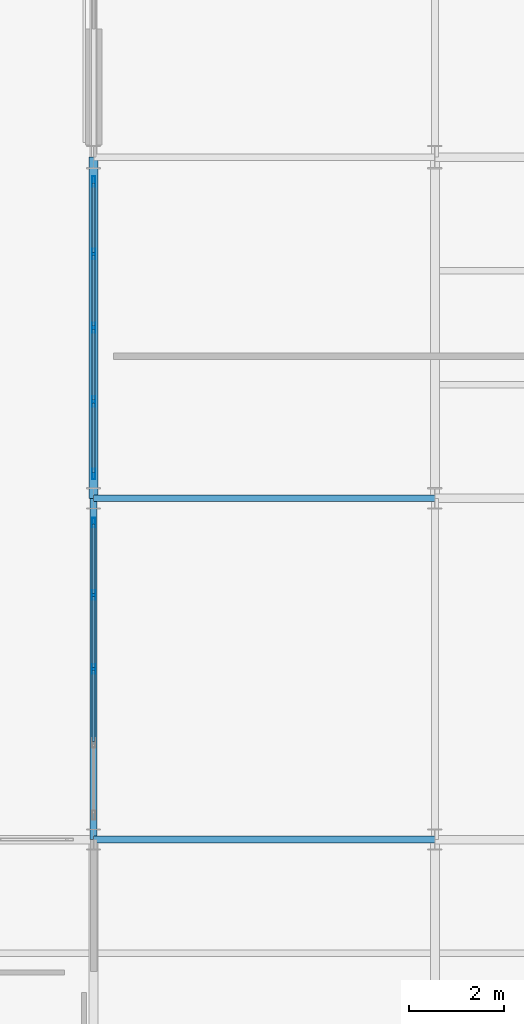
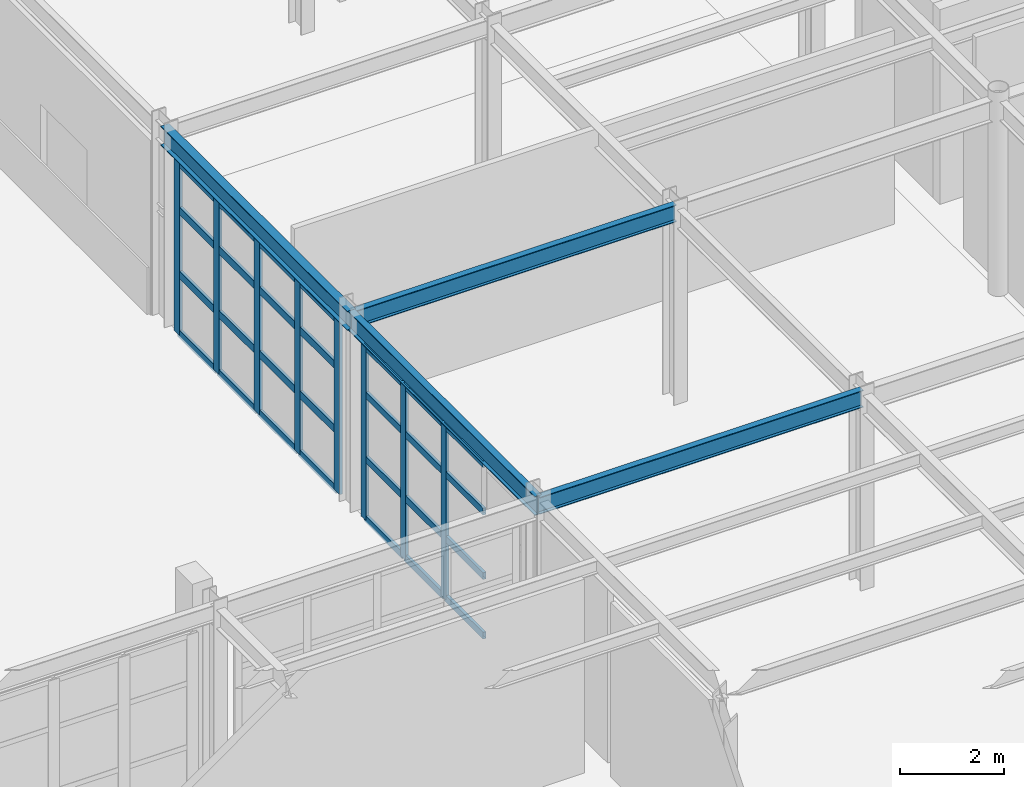
# One storey, part 28 of 83: 36 members, 4 beams, 2 elements without a shape of their own.
"""IFC4 building model written with IfcOpenShell, lengths in metres."""

from ifc_helpers import new_model, si_unit, direction, frame, origin, origin_2d, place, context, subcontext, project, spatial, hollow_rectangle, i_section, extrude, material, layer, layer_set, material_profile, profile_set, type_object, element, aggregate, save


model = new_model("IFC4")

# Units and contexts
model_context = context("Model", 3, precision=1e-05, world=origin(), true_north=direction((0.0, 1.0)))
body_context = subcontext(model_context, "Body", "Model", "MODEL_VIEW")
ifc_project = project(units=[si_unit("LENGTHUNIT", "METRE"), si_unit("AREAUNIT", "SQUARE_METRE"), si_unit("VOLUMEUNIT", "CUBIC_METRE"), si_unit("PLANEANGLEUNIT", "RADIAN"), si_unit("MASSUNIT", "GRAM", prefix="KILO")], contexts=[model_context])

# Site, building, storey
site_placement = place(None, origin())
site = spatial("IfcSite", under=ifc_project, at=site_placement, CompositionType="ELEMENT")
building_placement = place(site_placement, origin())
building = spatial("IfcBuilding", under=site, at=building_placement, Name="Solvadek Multi-Sports Hall", CompositionType="ELEMENT")
storey_placement = place(building_placement, origin())
storey = spatial("IfcBuildingStorey", under=building, at=storey_placement, Name="L00", CompositionType="ELEMENT", Elevation=0.0)

# Curtain wall, members
ifc_material_1 = material(Name="Anodised aluminium", Category="aluminium")
ifc_layer_1 = layer(ifc_material_1, 0.159912109375, Name="Anodised aluminium")
ifc_layer_set_1 = layer_set([ifc_layer_1], Name="Anodised aluminium")
curtain_wall_type_1 = type_object("IfcCurtainWallType", Name="ENV-CW-624X410", PredefinedType="USERDEFINED", material=ifc_layer_set_1)
curtain_wall_1_placement = place(storey_placement, origin())
curtain_wall_1 = element("IfcCurtainWall", 1, at=curtain_wall_1_placement, inside=storey, type_object=curtain_wall_type_1, Name="L00 Perimeter Bay Curtain Wall #183", ObjectType="CURTAIN WALL", PredefinedType="USERDEFINED")
ifc_material_profile_1 = material_profile(ifc_material_1, hollow_rectangle(XDim=0.06494140625, YDim=0.199951171875, WallThickness=0.0048828125, at=origin_2d()), Name="ALU-M 200x65x5")
ifc_profile_set_1 = profile_set([ifc_material_profile_1], Name="Anodised aluminium")
member_type_1 = type_object("IfcMemberType", Name="ENV-CWM-03", PredefinedType="MULLION", material=ifc_profile_set_1)
member_1_placement = place(storey_placement, frame((57.60009765625, 24.0, 0.0), z_axis=(0.0, 0.0, 1.0), x_axis=(-1.0, 0.0, 0.0)))
member_1 = element("IfcMember", 2, at=member_1_placement, type_object=member_type_1, Name="CW-39 mullion 3", PredefinedType="MULLION", context=body_context, shape_type="SweptSolid", body=[
    extrude(hollow_rectangle(XDim=0.06494140625, YDim=0.199951171875, WallThickness=0.0048828125, at=origin_2d()), origin(), (0.0, 0.0, 1.0), 4.10009765625),
])
member_2_placement = place(storey_placement, frame((57.60009765625, 25.56005859375, 0.0), z_axis=(0.0, 0.0, 1.0), x_axis=(-1.0, 0.0, 0.0)))
member_2 = element("IfcMember", 3, at=member_2_placement, type_object=member_type_1, Name="CW-39 mullion 4", PredefinedType="MULLION", context=body_context, shape_type="SweptSolid", body=[
    extrude(hollow_rectangle(XDim=0.06494140625, YDim=0.199951171875, WallThickness=0.0048828125, at=origin_2d()), origin(), (0.0, 0.0, 1.0), 4.10009765625),
])
member_3_placement = place(storey_placement, frame((57.60009765625, 27.08740234375, 0.0), z_axis=(0.0, 0.0, 1.0), x_axis=(-1.0, 0.0, 0.0)))
member_3 = element("IfcMember", 4, at=member_3_placement, type_object=member_type_1, Name="CW-39 mullion 5", PredefinedType="MULLION", context=body_context, shape_type="SweptSolid", body=[
    extrude(hollow_rectangle(XDim=0.06494140625, YDim=0.199951171875, WallThickness=0.0048828125, at=origin_2d()), origin(), (0.0, 0.0, 1.0), 4.10009765625),
])

ifc_layer_2 = layer(ifc_material_1, 0.159912109375, Name="Anodised aluminium")
ifc_layer_set_2 = layer_set([ifc_layer_2], Name="Anodised aluminium")
curtain_wall_type_2 = type_object("IfcCurtainWallType", Name="ENV-CW-624X408", PredefinedType="USERDEFINED", material=ifc_layer_set_2)
curtain_wall_2_placement = place(storey_placement, origin())
curtain_wall_2 = element("IfcCurtainWall", 5, at=curtain_wall_2_placement, inside=storey, type_object=curtain_wall_type_2, Name="L00 Perimeter Bay Curtain Wall #189", ObjectType="CURTAIN WALL", PredefinedType="USERDEFINED")
ifc_material_profile_2 = material_profile(ifc_material_1, hollow_rectangle(XDim=0.06494140625, YDim=0.219970703125, WallThickness=0.0048828125, at=origin_2d()), Name="ALU-M 220x65x5")
ifc_profile_set_2 = profile_set([ifc_material_profile_2], Name="Anodised aluminium")
member_type_2 = type_object("IfcMemberType", Name="ENV-CWM-04", PredefinedType="MULLION", material=ifc_profile_set_2)
member_4_placement = place(storey_placement, frame((57.60009765625, 28.112548828125, 0.0), z_axis=(0.0, 0.0, 1.0), x_axis=(-1.0, 0.0, 0.0)))
member_4 = element("IfcMember", 6, at=member_4_placement, type_object=member_type_2, Name="CW-40 mullion 1", PredefinedType="MULLION", context=body_context, shape_type="SweptSolid", body=[
    extrude(hollow_rectangle(XDim=0.06494140625, YDim=0.219970703125, WallThickness=0.0048828125, at=origin_2d()), origin(), (0.0, 0.0, 1.0), 4.074951171875),
])
member_5_placement = place(storey_placement, frame((57.60009765625, 29.639892578125, 0.0), z_axis=(0.0, 0.0, 1.0), x_axis=(-1.0, 0.0, 0.0)))
member_5 = element("IfcMember", 7, at=member_5_placement, type_object=member_type_2, Name="CW-40 mullion 2", PredefinedType="MULLION", context=body_context, shape_type="SweptSolid", body=[
    extrude(hollow_rectangle(XDim=0.06494140625, YDim=0.219970703125, WallThickness=0.0048828125, at=origin_2d()), origin(), (0.0, 0.0, 1.0), 4.074951171875),
])
member_6_placement = place(storey_placement, frame((57.60009765625, 31.199951171875, 0.0), z_axis=(0.0, 0.0, 1.0), x_axis=(-1.0, 0.0, 0.0)))
member_6 = element("IfcMember", 8, at=member_6_placement, type_object=member_type_2, Name="CW-40 mullion 3", PredefinedType="MULLION", context=body_context, shape_type="SweptSolid", body=[
    extrude(hollow_rectangle(XDim=0.06494140625, YDim=0.219970703125, WallThickness=0.0048828125, at=origin_2d()), origin(), (0.0, 0.0, 1.0), 4.074951171875),
])
member_7_placement = place(storey_placement, frame((57.60009765625, 32.760009765625, 0.0), z_axis=(0.0, 0.0, 1.0), x_axis=(-1.0, 0.0, 0.0)))
member_7 = element("IfcMember", 9, at=member_7_placement, type_object=member_type_2, Name="CW-40 mullion 4", PredefinedType="MULLION", context=body_context, shape_type="SweptSolid", body=[
    extrude(hollow_rectangle(XDim=0.06494140625, YDim=0.219970703125, WallThickness=0.0048828125, at=origin_2d()), origin(), (0.0, 0.0, 1.0), 4.074951171875),
])
member_8_placement = place(storey_placement, frame((57.60009765625, 34.28759765625, 0.0), z_axis=(0.0, 0.0, 1.0), x_axis=(-1.0, 0.0, 0.0)))
member_8 = element("IfcMember", 10, at=member_8_placement, type_object=member_type_2, Name="CW-40 mullion 5", PredefinedType="MULLION", context=body_context, shape_type="SweptSolid", body=[
    extrude(hollow_rectangle(XDim=0.06494140625, YDim=0.219970703125, WallThickness=0.0048828125, at=origin_2d()), origin(), (0.0, 0.0, 1.0), 4.074951171875),
])

# Member
ifc_material_profile_3 = material_profile(ifc_material_1, hollow_rectangle(XDim=0.06494140625, YDim=0.159912109375, WallThickness=0.00390625, at=origin_2d()), Name="ALU-T 160x65x4")
ifc_profile_set_3 = profile_set([ifc_material_profile_3], Name="Anodised aluminium")
member_type_3 = type_object("IfcMemberType", Name="ENV-CWT-03", PredefinedType="USERDEFINED", material=ifc_profile_set_3)
member_9_placement = place(storey_placement, frame((57.60009765625, 22.472412109375, 0.032470703125), z_axis=(0.0, 1.0, 0.0), x_axis=(-1.0, 0.0, 0.0)))
member_9 = element("IfcMember", 11, at=member_9_placement, type_object=member_type_3, Name="CW-39 transom 2.1", ObjectType="TRANSOM", PredefinedType="USERDEFINED", context=body_context, shape_type="SweptSolid", body=[
    extrude(hollow_rectangle(XDim=0.06494140625, YDim=0.159912109375, WallThickness=0.00390625, at=origin_2d()), origin(), (0.0, 0.0, 1.0), 1.4951171875),
])

member_10_placement = place(storey_placement, frame((57.60009765625, 22.472412109375, 1.43505859375), z_axis=(0.0, 1.0, 0.0), x_axis=(-1.0, 0.0, 0.0)))
member_10 = element("IfcMember", 12, at=member_10_placement, type_object=member_type_3, Name="CW-39 transom 2.2", ObjectType="TRANSOM", PredefinedType="USERDEFINED", context=body_context, shape_type="SweptSolid", body=[
    extrude(hollow_rectangle(XDim=0.06494140625, YDim=0.159912109375, WallThickness=0.00390625, at=origin_2d()), origin(), (0.0, 0.0, 1.0), 1.4951171875),
])

member_11_placement = place(storey_placement, frame((57.60009765625, 22.472412109375, 2.951904296875), z_axis=(0.0, 1.0, 0.0), x_axis=(-1.0, 0.0, 0.0)))
member_11 = element("IfcMember", 13, at=member_11_placement, type_object=member_type_3, Name="CW-39 transom 2.3", ObjectType="TRANSOM", PredefinedType="USERDEFINED", context=body_context, shape_type="SweptSolid", body=[
    extrude(hollow_rectangle(XDim=0.06494140625, YDim=0.159912109375, WallThickness=0.00390625, at=origin_2d()), origin(), (0.0, 0.0, 1.0), 1.4951171875),
])

member_12_placement = place(storey_placement, frame((57.60009765625, 22.472412109375, 4.0673828125), z_axis=(0.0, 1.0, 0.0), x_axis=(-1.0, 0.0, 0.0)))
member_12 = element("IfcMember", 14, at=member_12_placement, type_object=member_type_3, Name="CW-39 transom 2.4", ObjectType="TRANSOM", PredefinedType="USERDEFINED", context=body_context, shape_type="SweptSolid", body=[
    extrude(hollow_rectangle(XDim=0.06494140625, YDim=0.159912109375, WallThickness=0.00390625, at=origin_2d()), origin(), (0.0, 0.0, 1.0), 1.4951171875),
])

member_13_placement = place(storey_placement, frame((57.60009765625, 24.032470703125, 0.032470703125), z_axis=(0.0, 1.0, 0.0), x_axis=(-1.0, 0.0, 0.0)))
member_13 = element("IfcMember", 15, at=member_13_placement, type_object=member_type_3, Name="CW-39 transom 3.1", ObjectType="TRANSOM", PredefinedType="USERDEFINED", context=body_context, shape_type="SweptSolid", body=[
    extrude(hollow_rectangle(XDim=0.06494140625, YDim=0.159912109375, WallThickness=0.00390625, at=origin_2d()), origin(), (0.0, 0.0, 1.0), 1.4951171875),
])

member_14_placement = place(storey_placement, frame((57.60009765625, 24.032470703125, 1.43505859375), z_axis=(0.0, 1.0, 0.0), x_axis=(-1.0, 0.0, 0.0)))
member_14 = element("IfcMember", 16, at=member_14_placement, type_object=member_type_3, Name="CW-39 transom 3.2", ObjectType="TRANSOM", PredefinedType="USERDEFINED", context=body_context, shape_type="SweptSolid", body=[
    extrude(hollow_rectangle(XDim=0.06494140625, YDim=0.159912109375, WallThickness=0.00390625, at=origin_2d()), origin(), (0.0, 0.0, 1.0), 1.4951171875),
])

member_15_placement = place(storey_placement, frame((57.60009765625, 24.032470703125, 2.951904296875), z_axis=(0.0, 1.0, 0.0), x_axis=(-1.0, 0.0, 0.0)))
member_15 = element("IfcMember", 17, at=member_15_placement, type_object=member_type_3, Name="CW-39 transom 3.3", ObjectType="TRANSOM", PredefinedType="USERDEFINED", context=body_context, shape_type="SweptSolid", body=[
    extrude(hollow_rectangle(XDim=0.06494140625, YDim=0.159912109375, WallThickness=0.00390625, at=origin_2d()), origin(), (0.0, 0.0, 1.0), 1.4951171875),
])

member_16_placement = place(storey_placement, frame((57.60009765625, 24.032470703125, 4.0673828125), z_axis=(0.0, 1.0, 0.0), x_axis=(-1.0, 0.0, 0.0)))
member_16 = element("IfcMember", 18, at=member_16_placement, type_object=member_type_3, Name="CW-39 transom 3.4", ObjectType="TRANSOM", PredefinedType="USERDEFINED", context=body_context, shape_type="SweptSolid", body=[
    extrude(hollow_rectangle(XDim=0.06494140625, YDim=0.159912109375, WallThickness=0.00390625, at=origin_2d()), origin(), (0.0, 0.0, 1.0), 1.4951171875),
])

member_17_placement = place(storey_placement, frame((57.60009765625, 25.592529296875, 0.032470703125), z_axis=(0.0, 1.0, 0.0), x_axis=(-1.0, 0.0, 0.0)))
member_17 = element("IfcMember", 19, at=member_17_placement, type_object=member_type_3, Name="CW-39 transom 4.1", ObjectType="TRANSOM", PredefinedType="USERDEFINED", context=body_context, shape_type="SweptSolid", body=[
    extrude(hollow_rectangle(XDim=0.06494140625, YDim=0.159912109375, WallThickness=0.00390625, at=origin_2d()), origin(), (0.0, 0.0, 1.0), 1.46240234375),
])

member_18_placement = place(storey_placement, frame((57.60009765625, 25.592529296875, 1.43505859375), z_axis=(0.0, 1.0, 0.0), x_axis=(-1.0, 0.0, 0.0)))
member_18 = element("IfcMember", 20, at=member_18_placement, type_object=member_type_3, Name="CW-39 transom 4.2", ObjectType="TRANSOM", PredefinedType="USERDEFINED", context=body_context, shape_type="SweptSolid", body=[
    extrude(hollow_rectangle(XDim=0.06494140625, YDim=0.159912109375, WallThickness=0.00390625, at=origin_2d()), origin(), (0.0, 0.0, 1.0), 1.46240234375),
])

member_19_placement = place(storey_placement, frame((57.60009765625, 25.592529296875, 2.951904296875), z_axis=(0.0, 1.0, 0.0), x_axis=(-1.0, 0.0, 0.0)))
member_19 = element("IfcMember", 21, at=member_19_placement, type_object=member_type_3, Name="CW-39 transom 4.3", ObjectType="TRANSOM", PredefinedType="USERDEFINED", context=body_context, shape_type="SweptSolid", body=[
    extrude(hollow_rectangle(XDim=0.06494140625, YDim=0.159912109375, WallThickness=0.00390625, at=origin_2d()), origin(), (0.0, 0.0, 1.0), 1.46240234375),
])

member_20_placement = place(storey_placement, frame((57.60009765625, 25.592529296875, 4.0673828125), z_axis=(0.0, 1.0, 0.0), x_axis=(-1.0, 0.0, 0.0)))
member_20 = element("IfcMember", 22, at=member_20_placement, type_object=member_type_3, Name="CW-39 transom 4.4", ObjectType="TRANSOM", PredefinedType="USERDEFINED", context=body_context, shape_type="SweptSolid", body=[
    extrude(hollow_rectangle(XDim=0.06494140625, YDim=0.159912109375, WallThickness=0.00390625, at=origin_2d()), origin(), (0.0, 0.0, 1.0), 1.46240234375),
])

aggregate(curtain_wall_1, [member_1, member_2, member_3, member_9, member_10, member_11, member_12, member_13, member_14, member_15, member_16, member_17, member_18, member_19, member_20])

ifc_material_profile_4 = material_profile(ifc_material_1, hollow_rectangle(XDim=0.06494140625, YDim=0.179931640625, WallThickness=0.0048828125, at=origin_2d()), Name="ALU-T 180x65x5")
ifc_profile_set_4 = profile_set([ifc_material_profile_4], Name="Anodised aluminium")
member_type_4 = type_object("IfcMemberType", Name="ENV-CWT-04", PredefinedType="USERDEFINED", material=ifc_profile_set_4)
member_21_placement = place(storey_placement, frame((57.60009765625, 28.14501953125, 0.032470703125), z_axis=(0.0, 1.0, 0.0), x_axis=(-1.0, 0.0, 0.0)))
member_21 = element("IfcMember", 23, at=member_21_placement, type_object=member_type_4, Name="CW-40 transom 1.1", ObjectType="TRANSOM", PredefinedType="USERDEFINED", context=body_context, shape_type="SweptSolid", body=[
    extrude(hollow_rectangle(XDim=0.06494140625, YDim=0.179931640625, WallThickness=0.0048828125, at=origin_2d()), origin(), (0.0, 0.0, 1.0), 1.46240234375),
])

member_22_placement = place(storey_placement, frame((57.60009765625, 28.14501953125, 1.426025390625), z_axis=(0.0, 1.0, 0.0), x_axis=(-1.0, 0.0, 0.0)))
member_22 = element("IfcMember", 24, at=member_22_placement, type_object=member_type_4, Name="CW-40 transom 1.2", ObjectType="TRANSOM", PredefinedType="USERDEFINED", context=body_context, shape_type="SweptSolid", body=[
    extrude(hollow_rectangle(XDim=0.06494140625, YDim=0.179931640625, WallThickness=0.0048828125, at=origin_2d()), origin(), (0.0, 0.0, 1.0), 1.46240234375),
])

member_23_placement = place(storey_placement, frame((57.60009765625, 28.14501953125, 2.93408203125), z_axis=(0.0, 1.0, 0.0), x_axis=(-1.0, 0.0, 0.0)))
member_23 = element("IfcMember", 25, at=member_23_placement, type_object=member_type_4, Name="CW-40 transom 1.3", ObjectType="TRANSOM", PredefinedType="USERDEFINED", context=body_context, shape_type="SweptSolid", body=[
    extrude(hollow_rectangle(XDim=0.06494140625, YDim=0.179931640625, WallThickness=0.0048828125, at=origin_2d()), origin(), (0.0, 0.0, 1.0), 1.46240234375),
])

member_24_placement = place(storey_placement, frame((57.60009765625, 28.14501953125, 4.04248046875), z_axis=(0.0, 1.0, 0.0), x_axis=(-1.0, 0.0, 0.0)))
member_24 = element("IfcMember", 26, at=member_24_placement, type_object=member_type_4, Name="CW-40 transom 1.4", ObjectType="TRANSOM", PredefinedType="USERDEFINED", context=body_context, shape_type="SweptSolid", body=[
    extrude(hollow_rectangle(XDim=0.06494140625, YDim=0.179931640625, WallThickness=0.0048828125, at=origin_2d()), origin(), (0.0, 0.0, 1.0), 1.46240234375),
])

member_25_placement = place(storey_placement, frame((57.60009765625, 29.672607421875, 0.032470703125), z_axis=(0.0, 1.0, 0.0), x_axis=(-1.0, 0.0, 0.0)))
member_25 = element("IfcMember", 27, at=member_25_placement, type_object=member_type_4, Name="CW-40 transom 2.1", ObjectType="TRANSOM", PredefinedType="USERDEFINED", context=body_context, shape_type="SweptSolid", body=[
    extrude(hollow_rectangle(XDim=0.06494140625, YDim=0.179931640625, WallThickness=0.0048828125, at=origin_2d()), origin(), (0.0, 0.0, 1.0), 1.494873046875),
])

member_26_placement = place(storey_placement, frame((57.60009765625, 29.672607421875, 1.426025390625), z_axis=(0.0, 1.0, 0.0), x_axis=(-1.0, 0.0, 0.0)))
member_26 = element("IfcMember", 28, at=member_26_placement, type_object=member_type_4, Name="CW-40 transom 2.2", ObjectType="TRANSOM", PredefinedType="USERDEFINED", context=body_context, shape_type="SweptSolid", body=[
    extrude(hollow_rectangle(XDim=0.06494140625, YDim=0.179931640625, WallThickness=0.0048828125, at=origin_2d()), origin(), (0.0, 0.0, 1.0), 1.494873046875),
])

member_27_placement = place(storey_placement, frame((57.60009765625, 29.672607421875, 2.93408203125), z_axis=(0.0, 1.0, 0.0), x_axis=(-1.0, 0.0, 0.0)))
member_27 = element("IfcMember", 29, at=member_27_placement, type_object=member_type_4, Name="CW-40 transom 2.3", ObjectType="TRANSOM", PredefinedType="USERDEFINED", context=body_context, shape_type="SweptSolid", body=[
    extrude(hollow_rectangle(XDim=0.06494140625, YDim=0.179931640625, WallThickness=0.0048828125, at=origin_2d()), origin(), (0.0, 0.0, 1.0), 1.494873046875),
])

member_28_placement = place(storey_placement, frame((57.60009765625, 29.672607421875, 4.04248046875), z_axis=(0.0, 1.0, 0.0), x_axis=(-1.0, 0.0, 0.0)))
member_28 = element("IfcMember", 30, at=member_28_placement, type_object=member_type_4, Name="CW-40 transom 2.4", ObjectType="TRANSOM", PredefinedType="USERDEFINED", context=body_context, shape_type="SweptSolid", body=[
    extrude(hollow_rectangle(XDim=0.06494140625, YDim=0.179931640625, WallThickness=0.0048828125, at=origin_2d()), origin(), (0.0, 0.0, 1.0), 1.494873046875),
])

member_29_placement = place(storey_placement, frame((57.60009765625, 31.232421875, 0.032470703125), z_axis=(0.0, 1.0, 0.0), x_axis=(-1.0, 0.0, 0.0)))
member_29 = element("IfcMember", 31, at=member_29_placement, type_object=member_type_4, Name="CW-40 transom 3.1", ObjectType="TRANSOM", PredefinedType="USERDEFINED", context=body_context, shape_type="SweptSolid", body=[
    extrude(hollow_rectangle(XDim=0.06494140625, YDim=0.179931640625, WallThickness=0.0048828125, at=origin_2d()), origin(), (0.0, 0.0, 1.0), 1.4951171875),
])

member_30_placement = place(storey_placement, frame((57.60009765625, 31.232421875, 1.426025390625), z_axis=(0.0, 1.0, 0.0), x_axis=(-1.0, 0.0, 0.0)))
member_30 = element("IfcMember", 32, at=member_30_placement, type_object=member_type_4, Name="CW-40 transom 3.2", ObjectType="TRANSOM", PredefinedType="USERDEFINED", context=body_context, shape_type="SweptSolid", body=[
    extrude(hollow_rectangle(XDim=0.06494140625, YDim=0.179931640625, WallThickness=0.0048828125, at=origin_2d()), origin(), (0.0, 0.0, 1.0), 1.4951171875),
])

member_31_placement = place(storey_placement, frame((57.60009765625, 31.232421875, 2.93408203125), z_axis=(0.0, 1.0, 0.0), x_axis=(-1.0, 0.0, 0.0)))
member_31 = element("IfcMember", 33, at=member_31_placement, type_object=member_type_4, Name="CW-40 transom 3.3", ObjectType="TRANSOM", PredefinedType="USERDEFINED", context=body_context, shape_type="SweptSolid", body=[
    extrude(hollow_rectangle(XDim=0.06494140625, YDim=0.179931640625, WallThickness=0.0048828125, at=origin_2d()), origin(), (0.0, 0.0, 1.0), 1.4951171875),
])

member_32_placement = place(storey_placement, frame((57.60009765625, 31.232421875, 4.04248046875), z_axis=(0.0, 1.0, 0.0), x_axis=(-1.0, 0.0, 0.0)))
member_32 = element("IfcMember", 34, at=member_32_placement, type_object=member_type_4, Name="CW-40 transom 3.4", ObjectType="TRANSOM", PredefinedType="USERDEFINED", context=body_context, shape_type="SweptSolid", body=[
    extrude(hollow_rectangle(XDim=0.06494140625, YDim=0.179931640625, WallThickness=0.0048828125, at=origin_2d()), origin(), (0.0, 0.0, 1.0), 1.4951171875),
])

member_33_placement = place(storey_placement, frame((57.60009765625, 32.79248046875, 0.032470703125), z_axis=(0.0, 1.0, 0.0), x_axis=(-1.0, 0.0, 0.0)))
member_33 = element("IfcMember", 35, at=member_33_placement, type_object=member_type_4, Name="CW-40 transom 4.1", ObjectType="TRANSOM", PredefinedType="USERDEFINED", context=body_context, shape_type="SweptSolid", body=[
    extrude(hollow_rectangle(XDim=0.06494140625, YDim=0.179931640625, WallThickness=0.0048828125, at=origin_2d()), origin(), (0.0, 0.0, 1.0), 1.46240234375),
])

member_34_placement = place(storey_placement, frame((57.60009765625, 32.79248046875, 1.426025390625), z_axis=(0.0, 1.0, 0.0), x_axis=(-1.0, 0.0, 0.0)))
member_34 = element("IfcMember", 36, at=member_34_placement, type_object=member_type_4, Name="CW-40 transom 4.2", ObjectType="TRANSOM", PredefinedType="USERDEFINED", context=body_context, shape_type="SweptSolid", body=[
    extrude(hollow_rectangle(XDim=0.06494140625, YDim=0.179931640625, WallThickness=0.0048828125, at=origin_2d()), origin(), (0.0, 0.0, 1.0), 1.46240234375),
])

member_35_placement = place(storey_placement, frame((57.60009765625, 32.79248046875, 2.93408203125), z_axis=(0.0, 1.0, 0.0), x_axis=(-1.0, 0.0, 0.0)))
member_35 = element("IfcMember", 37, at=member_35_placement, type_object=member_type_4, Name="CW-40 transom 4.3", ObjectType="TRANSOM", PredefinedType="USERDEFINED", context=body_context, shape_type="SweptSolid", body=[
    extrude(hollow_rectangle(XDim=0.06494140625, YDim=0.179931640625, WallThickness=0.0048828125, at=origin_2d()), origin(), (0.0, 0.0, 1.0), 1.46240234375),
])

member_36_placement = place(storey_placement, frame((57.60009765625, 32.79248046875, 4.04248046875), z_axis=(0.0, 1.0, 0.0), x_axis=(-1.0, 0.0, 0.0)))
member_36 = element("IfcMember", 38, at=member_36_placement, type_object=member_type_4, Name="CW-40 transom 4.4", ObjectType="TRANSOM", PredefinedType="USERDEFINED", context=body_context, shape_type="SweptSolid", body=[
    extrude(hollow_rectangle(XDim=0.06494140625, YDim=0.179931640625, WallThickness=0.0048828125, at=origin_2d()), origin(), (0.0, 0.0, 1.0), 1.46240234375),
])

aggregate(curtain_wall_2, [member_4, member_5, member_6, member_7, member_8, member_21, member_22, member_23, member_24, member_25, member_26, member_27, member_28, member_29, member_30, member_31, member_32, member_33, member_34, member_35, member_36])

# Beams
ifc_material_2 = material(Name="Steel E350 (350 MPa)", Category="steel")
ifc_material_profile_5 = material_profile(ifc_material_2, i_section(OverallWidth=0.139892578125, OverallDepth=0.39990234375, WebThickness=0.0087890625, FlangeThickness=0.01611328125, at=origin_2d()), Name="ISMB 400")
ifc_profile_set_5 = profile_set([ifc_material_profile_5], Name="Steel E350 (350 MPa)")
beam_type_1 = type_object("IfcBeamType", Name="STR-BM-ISMB400", PredefinedType="BEAM", material=ifc_profile_set_5)
for number, where, z_axis, x_axis, name in (
    (39, (57.60009765625, 20.39990234375, 4.3798828125), (1.0, 0.0, 0.0), (0.0, 1.0, 0.0), "L00 Girder B-10 #564"),
    (40, (57.60009765625, 27.60009765625, 4.3798828125), (1.0, 0.0, 0.0), (0.0, 1.0, 0.0), "L00 Girder B-10 #570"),
):
    element("IfcBeam", number, at=place(storey_placement, frame(where, z_axis=z_axis, x_axis=x_axis)), inside=storey, type_object=beam_type_1, Name=name, PredefinedType="BEAM", context=body_context, shape_type="SweptSolid", body=[
        extrude(i_section(OverallWidth=0.139892578125, OverallDepth=0.39990234375, WebThickness=0.0087890625, FlangeThickness=0.01611328125, at=origin_2d()), origin(), (0.0, 0.0, 1.0), 7.199951171875),
    ])
ifc_material_profile_6 = material_profile(ifc_material_2, i_section(OverallWidth=0.14990234375, OverallDepth=0.449951171875, WebThickness=0.009521484375, FlangeThickness=0.017333984375, at=origin_2d()), Name="ISMB 450")
ifc_profile_set_6 = profile_set([ifc_material_profile_6], Name="Steel E350 (350 MPa)")
beam_type_2 = type_object("IfcBeamType", Name="STR-BM-ISMB450", PredefinedType="BEAM", material=ifc_profile_set_6)
beam_1_placement = place(storey_placement, frame((57.60009765625, 20.39990234375, 4.35498046875), z_axis=(0.0, 1.0, 0.0), x_axis=(-1.0, 0.0, 0.0)))
element("IfcBeam", 41, at=beam_1_placement, inside=storey, type_object=beam_type_2, Name="L00 Girder B-09 #824", PredefinedType="BEAM", context=body_context, shape_type="SweptSolid", body=[
    extrude(i_section(OverallWidth=0.14990234375, OverallDepth=0.449951171875, WebThickness=0.009521484375, FlangeThickness=0.017333984375, at=origin_2d()), origin(), (0.0, 0.0, 1.0), 7.2001953125),
])
ifc_material_profile_7 = material_profile(ifc_material_2, i_section(OverallWidth=0.18994140625, OverallDepth=0.449951171875, WebThickness=0.009521484375, FlangeThickness=0.0146484375, at=origin_2d()), Name="NPB 450")
ifc_profile_set_7 = profile_set([ifc_material_profile_7], Name="Steel E350 (350 MPa)")
beam_type_3 = type_object("IfcBeamType", Name="STR-BM-NPB450", PredefinedType="BEAM", material=ifc_profile_set_7)
beam_2_placement = place(storey_placement, frame((57.60009765625, 27.60009765625, 4.35498046875), z_axis=(0.0, 1.0, 0.0), x_axis=(-1.0, 0.0, 0.0)))
element("IfcBeam", 42, at=beam_2_placement, inside=storey, type_object=beam_type_3, Name="L00 Girder B-08 #825", PredefinedType="BEAM", context=body_context, shape_type="SweptSolid", body=[
    extrude(i_section(OverallWidth=0.18994140625, OverallDepth=0.449951171875, WebThickness=0.009521484375, FlangeThickness=0.0146484375, at=origin_2d()), origin(), (0.0, 0.0, 1.0), 7.199951171875),
])

save(model, "model.ifc")
